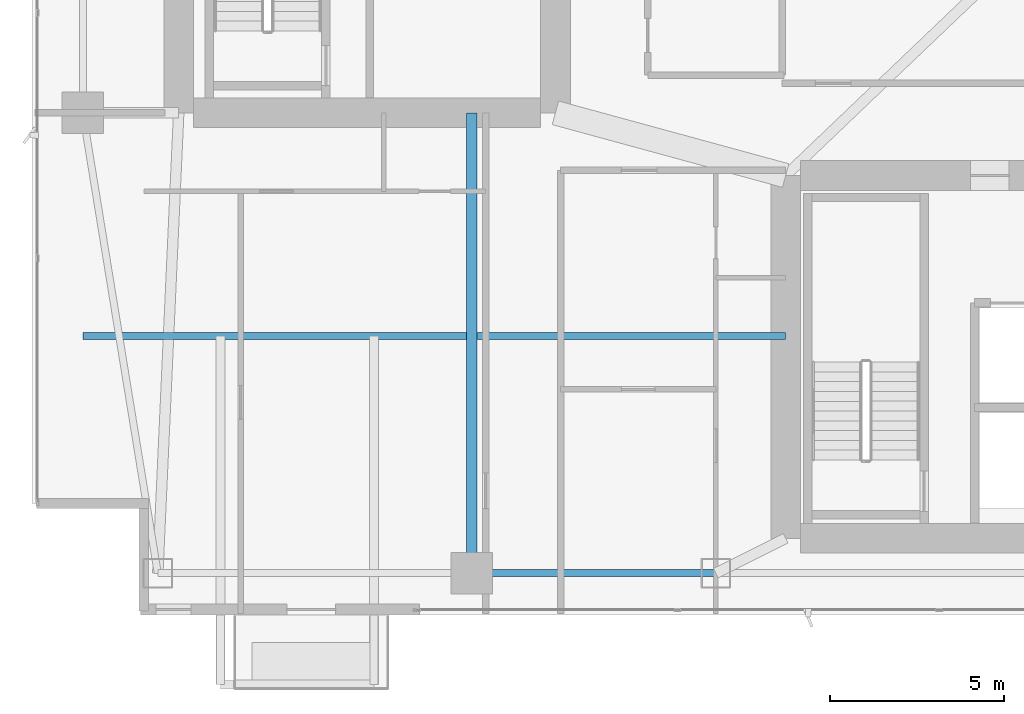
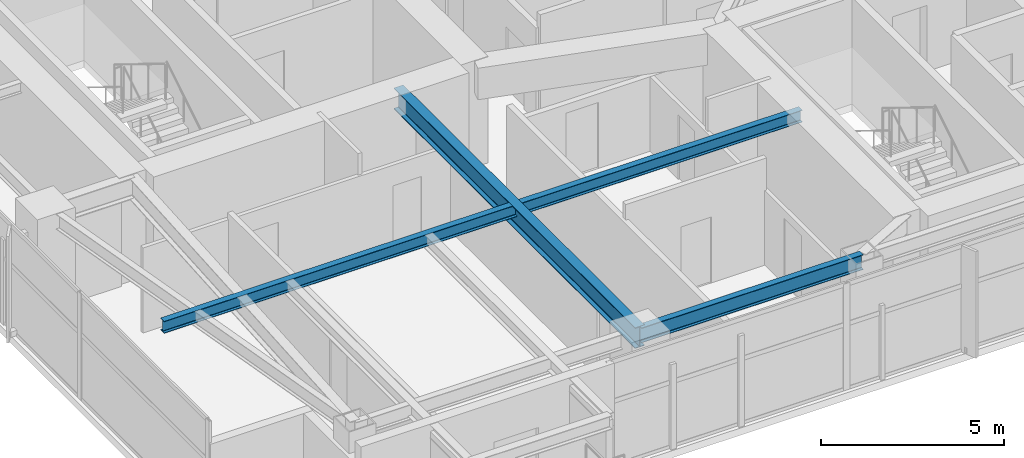
# One storey, part 5 of 28: 3 beams.
"""IFC4 building model written with IfcOpenShell, lengths in metres."""

import ifcopenshell
import ifcopenshell.guid

model = None  # the IFC model being written
_history = None  # IfcOwnerHistory: only IFC2X3 demands one
_inside = {}  # id of a spatial element -> (the spatial element, [elements in it])
_under = {}  # id of a project, library or spatial element -> (it, [spatial elements below it])
_declared = {}  # id of a project -> (the project, [libraries it declares])
_typed = {}  # id of a type object -> (the type object, [elements of that type])
_made_of = {}  # id of a material, layer set ... -> (it, [elements and type objects made of it])


def new_model(schema):
    """Start an empty IFC model of exactly this schema.

    Asked for "IFC4X3", IfcOpenShell would pick the latest addendum, in which some entities
    have other attributes; the version numbers below select the first issue.
    IFC2X3 requires an IfcOwnerHistory on every rooted entity: one is made here for all.
    """
    global model, _history
    if schema == "IFC4X3":
        model = ifcopenshell.file(schema_version=(4, 3, 0, 0))
    else:
        model = ifcopenshell.file(schema=schema)
    _inside.clear()
    _under.clear()
    _declared.clear()
    _typed.clear()
    _made_of.clear()
    _history = None
    if model.schema == "IFC2X3":
        org = make("IfcOrganization", Name="unknown")
        user = make(
            "IfcPersonAndOrganization",
            ThePerson=make("IfcPerson", FamilyName="unknown"),
            TheOrganization=org,
        )
        app = make(
            "IfcApplication",
            ApplicationDeveloper=org,
            Version="unknown",
            ApplicationFullName="unknown",
            ApplicationIdentifier="unknown",
        )
        _history = make(
            "IfcOwnerHistory",
            OwningUser=user,
            OwningApplication=app,
            ChangeAction="ADDED",
            CreationDate=0,
        )
    return model


def make(cls, **values):
    """One entity of the class cls with the attributes given. An attribute that is None is left unset."""
    return model.create_entity(
        cls, **{name: value for name, value in values.items() if value is not None}
    )


def rooted(cls, **values):
    """An entity with a GlobalId (a new one), such as an element, a storey or a relation."""
    return make(cls, GlobalId=ifcopenshell.guid.new(), OwnerHistory=_history, **values)


def si_unit(unit_type, name, prefix=None):
    """IfcSIUnit, for example si_unit("LENGTHUNIT", "METRE", prefix="MILLI")."""
    return make("IfcSIUnit", UnitType=unit_type, Prefix=prefix, Name=name)


def assignment(units):
    """IfcUnitAssignment: the units of a project."""
    return None if units is None else make("IfcUnitAssignment", Units=units)


def point(xyz):
    """IfcCartesianPoint."""
    return None if xyz is None else make("IfcCartesianPoint", Coordinates=xyz)


def direction(xyz):
    """IfcDirection."""
    return None if xyz is None else make("IfcDirection", DirectionRatios=xyz)


def frame(location, z_axis=None, x_axis=None):
    """IfcAxis2Placement3D, a coordinate frame: its origin and axes. An axis left out is left unset."""
    return make(
        "IfcAxis2Placement3D",
        Location=point(location),
        Axis=direction(z_axis),
        RefDirection=direction(x_axis),
    )


def frame_2d(location, x_axis=None):
    """IfcAxis2Placement2D, a coordinate frame in the plane: its origin and x axis."""
    return make(
        "IfcAxis2Placement2D", Location=point(location), RefDirection=direction(x_axis)
    )


def origin():
    """The frame at (0, 0, 0) with its axes left unset."""
    return frame((0.0, 0.0, 0.0))


def origin_2d():
    """The frame at (0, 0) in the plane with its x axis left unset."""
    return frame_2d((0.0, 0.0))


def place(relative_to, where):
    """IfcLocalPlacement: puts the frame where relative to a parent placement (None: the world)."""
    return make(
        "IfcLocalPlacement", PlacementRelTo=relative_to, RelativePlacement=where
    )


def context(
    kind, dimensions, precision=None, world=None, true_north=None, identifier=None
):
    """IfcGeometricRepresentationContext, for example the 3D "Model" context."""
    return make(
        "IfcGeometricRepresentationContext",
        ContextIdentifier=identifier,
        ContextType=kind,
        CoordinateSpaceDimension=dimensions,
        Precision=precision,
        WorldCoordinateSystem=world,
        TrueNorth=true_north,
    )


def subcontext(parent, identifier, kind, view, scale=None):
    """IfcGeometricRepresentationSubContext, for example "Body" below "Model"."""
    return make(
        "IfcGeometricRepresentationSubContext",
        ContextIdentifier=identifier,
        ContextType=kind,
        ParentContext=parent,
        TargetScale=scale,
        TargetView=view,
    )


def project(units=None, contexts=None):
    """IfcProject with its units and contexts."""
    return rooted(
        "IfcProject",
        Name="project",
        RepresentationContexts=contexts,
        UnitsInContext=assignment(units),
    )


def spatial(cls, under=None, at=None, **own):
    """A site, building, storey or space (cls), placed at a placement, below another one or the project."""
    s = rooted(cls, ObjectPlacement=at, **own)
    if under is not None:
        _under.setdefault(under.id(), (under, []))[1].append(s)
    return s


def profile(cls, at=None, kind="AREA", **sizes):
    """A parametric profile (cls). Its sizes go by their IFC names, for example OverallWidth=200.0."""
    return make(cls, ProfileType=kind, Position=at, **sizes)


def i_section(**sizes):
    """IfcIShapeProfileDef."""
    return profile("IfcIShapeProfileDef", **sizes)


def extrude(swept, where, along, depth):
    """IfcExtrudedAreaSolid: the profile swept, set in the frame where, extruded along a direction by depth."""
    return make(
        "IfcExtrudedAreaSolid",
        SweptArea=swept,
        Position=where,
        ExtrudedDirection=direction(along),
        Depth=depth,
    )


def shape(context_of_items, identifier, shape_type, items):
    """IfcShapeRepresentation: the items that make up one representation, for example the "Body"."""
    return make(
        "IfcShapeRepresentation",
        ContextOfItems=context_of_items,
        RepresentationIdentifier=identifier,
        RepresentationType=shape_type,
        Items=items,
    )


def material(Name=None, Category=None):
    """IfcMaterial."""
    return make("IfcMaterial", Name=Name, Category=Category)


def material_profile(
    of_material, cross_section, Name=None, Category=None, Priority=None
):
    """IfcMaterialProfile: a cross section and its material."""
    return make(
        "IfcMaterialProfile",
        Name=Name,
        Material=of_material,
        Profile=cross_section,
        Priority=Priority,
        Category=Category,
    )


def profile_set(profiles, Name=None, composite=None):
    """IfcMaterialProfileSet."""
    return make(
        "IfcMaterialProfileSet",
        Name=Name,
        MaterialProfiles=profiles,
        CompositeProfile=composite,
    )


def made_of(thing, what):
    """Note that an element or type object is made of a material, layer set ...; save() writes the relation."""
    if what is not None:
        _made_of.setdefault(what.id(), (what, []))[1].append(thing)
    return thing


def type_object(cls, material=None, **own):
    """A type object (cls), such as IfcWallType, which elements share."""
    return made_of(rooted(cls, **own), material)


def element(
    cls,
    number,
    at=None,
    inside=None,
    cuts=None,
    type_object=None,
    material=None,
    context=None,
    identifier="Body",
    shape_type=None,
    held_by="IfcProductDefinitionShape",
    body=None,
    shapes=None,
    **own,
):
    """One element of the class cls, such as IfcWall. Its Tag is "e" and its number.

    at: its placement. inside: the storey or other place that contains it. cuts: it is an
    opening in that element (IfcRelVoidsElement). A single representation is given by context,
    identifier, shape_type and body (its items); several are given by shapes. held_by: the class
    of the entity that holds the representations. save() writes the other relations.
    """
    e = rooted(cls, Tag="e%d" % number, ObjectPlacement=at, **own)
    if body is not None:
        shapes = [shape(context, identifier, shape_type, body)]
    if shapes is not None:
        e.Representation = make(held_by, Representations=shapes)
    if inside is not None:
        _inside.setdefault(inside.id(), (inside, []))[1].append(e)
    if cuts is not None:
        rooted(
            "IfcRelVoidsElement", RelatingBuildingElement=cuts, RelatedOpeningElement=e
        )
    if type_object is not None:
        _typed.setdefault(type_object.id(), (type_object, []))[1].append(e)
    return made_of(e, material)


def aggregate(whole, parts):
    """IfcRelAggregates: a whole, such as a stair, and the parts it consists of."""
    return rooted("IfcRelAggregates", RelatingObject=whole, RelatedObjects=parts)


def save(model, path):
    """Write the relations noted so far, then the file.

    IfcRelAggregates (storeys below a building ...), IfcRelContainedInSpatialStructure (elements
    in a storey), IfcRelDefinesByType, IfcRelAssociatesMaterial and IfcRelDeclares: one each for
    every whole, place, type object, material and project.
    """
    for whole, parts in _under.values():
        aggregate(whole, parts)
    for where, things in _inside.values():
        rooted(
            "IfcRelContainedInSpatialStructure",
            RelatedElements=things,
            RelatingStructure=where,
        )
    for kind, things in _typed.values():
        rooted("IfcRelDefinesByType", RelatedObjects=things, RelatingType=kind)
    for what, things in _made_of.values():
        rooted("IfcRelAssociatesMaterial", RelatedObjects=things, RelatingMaterial=what)
    for by, libraries in _declared.values():
        rooted("IfcRelDeclares", RelatingContext=by, RelatedDefinitions=libraries)
    model.write(path)


model = new_model("IFC4")

# Units and contexts
model_context = context("Model", 3, precision=1e-05, world=origin(), true_north=direction((0.0, 1.0)))
body_context = subcontext(model_context, "Body", "Model", "MODEL_VIEW")
ifc_project = project(units=[si_unit("LENGTHUNIT", "METRE"), si_unit("AREAUNIT", "SQUARE_METRE"), si_unit("VOLUMEUNIT", "CUBIC_METRE"), si_unit("PLANEANGLEUNIT", "RADIAN"), si_unit("MASSUNIT", "GRAM", prefix="KILO")], contexts=[model_context])

# Site, building, storey
site_placement = place(None, origin())
site = spatial("IfcSite", under=ifc_project, at=site_placement, CompositionType="ELEMENT")
building_placement = place(site_placement, origin())
building = spatial("IfcBuilding", under=site, at=building_placement, Name="Calvorn Quay Hotel", CompositionType="ELEMENT")
storey_placement = place(building_placement, frame((0.0, 0.0, 131.60009765625)))
storey = spatial("IfcBuildingStorey", under=building, at=storey_placement, Name="L32", CompositionType="ELEMENT", Elevation=131.60009765625)

# Beams
ifc_material_1 = material(Name="Steel Q390GJC", Category="steel")
ifc_material_profile_1 = material_profile(ifc_material_1, i_section(OverallWidth=0.300048828125, OverallDepth=0.699951171875, WebThickness=0.012939453125, FlangeThickness=0.02392578125, FilletRadius=0.02392578125, at=origin_2d()), Name="HN700x300x13x24")
ifc_profile_set_1 = profile_set([ifc_material_profile_1], Name="Steel Q390GJC")
beam_type_1 = type_object("IfcBeamType", Name="BM-GIRD-MAIN", PredefinedType="BEAM", material=ifc_profile_set_1)
beam_1_placement = place(storey_placement, frame((12.60009765625, 3.60009765625, 3.18994140625), z_axis=(0.0, 1.0, 0.0), x_axis=(-1.0, 0.0, 0.0)))
element("IfcBeam", 1, at=beam_1_placement, inside=storey, type_object=beam_type_1, Name="Beam BG-L32-S1", PredefinedType="BEAM", context=body_context, shape_type="SweptSolid", body=[
    extrude(i_section(OverallWidth=0.300048828125, OverallDepth=0.699951171875, WebThickness=0.012939453125, FlangeThickness=0.02392578125, FilletRadius=0.02392578125, at=origin_2d()), origin(), (0.0, 0.0, 1.0), 13.199951171875),
])
ifc_material_2 = material(Name="Steel Q355B", Category="steel")
ifc_material_profile_2 = material_profile(ifc_material_2, i_section(OverallWidth=0.199951171875, OverallDepth=0.39990234375, WebThickness=0.008056640625, FlangeThickness=0.012939453125, FilletRadius=0.01611328125, at=origin_2d()), Name="HN400x200x8x13")
ifc_profile_set_2 = profile_set([ifc_material_profile_2], Name="Steel Q355B")
beam_type_2 = type_object("IfcBeamType", Name="BM-JOIST-TYP", PredefinedType="JOIST", material=ifc_profile_set_2)
beam_2_placement = place(storey_placement, frame((1.449951171875, 10.39990234375, 3.33984375), z_axis=(1.0, 0.0, 0.0), x_axis=(0.0, 1.0, 0.0)))
element("IfcBeam", 2, at=beam_2_placement, inside=storey, type_object=beam_type_2, Name="Beam BJ-L32-W1", PredefinedType="JOIST", context=body_context, shape_type="SweptSolid", body=[
    extrude(i_section(OverallWidth=0.199951171875, OverallDepth=0.39990234375, WebThickness=0.008056640625, FlangeThickness=0.012939453125, FilletRadius=0.01611328125, at=origin_2d()), origin(), (0.0, 0.0, 1.0), 20.150146484375),
])
ifc_material_3 = material(Name="Steel Q355B", Category="steel")
ifc_material_profile_3 = material_profile(ifc_material_3, i_section(OverallWidth=0.199951171875, OverallDepth=0.5, WebThickness=0.010009765625, FlangeThickness=0.01611328125, FilletRadius=0.01611328125, at=origin_2d()), Name="HN500x200x10x16")
ifc_profile_set_3 = profile_set([ifc_material_profile_3], Name="Steel Q355B")
beam_type_3 = type_object("IfcBeamType", Name="BM-SPANDREL-Z1", PredefinedType="SPANDREL", material=ifc_profile_set_3)
beam_3_placement = place(storey_placement, frame((12.60009765625, 3.60009765625, 3.289794921875), z_axis=(1.0, 0.0, 0.0), x_axis=(0.0, 1.0, 0.0)))
element("IfcBeam", 3, at=beam_3_placement, inside=storey, type_object=beam_type_3, Name="Beam BSP-L32-S2", PredefinedType="SPANDREL", context=body_context, shape_type="SweptSolid", body=[
    extrude(i_section(OverallWidth=0.199951171875, OverallDepth=0.5, WebThickness=0.010009765625, FlangeThickness=0.01611328125, FilletRadius=0.01611328125, at=origin_2d()), origin(), (0.0, 0.0, 1.0), 7.0),
])

save(model, "model.ifc")
